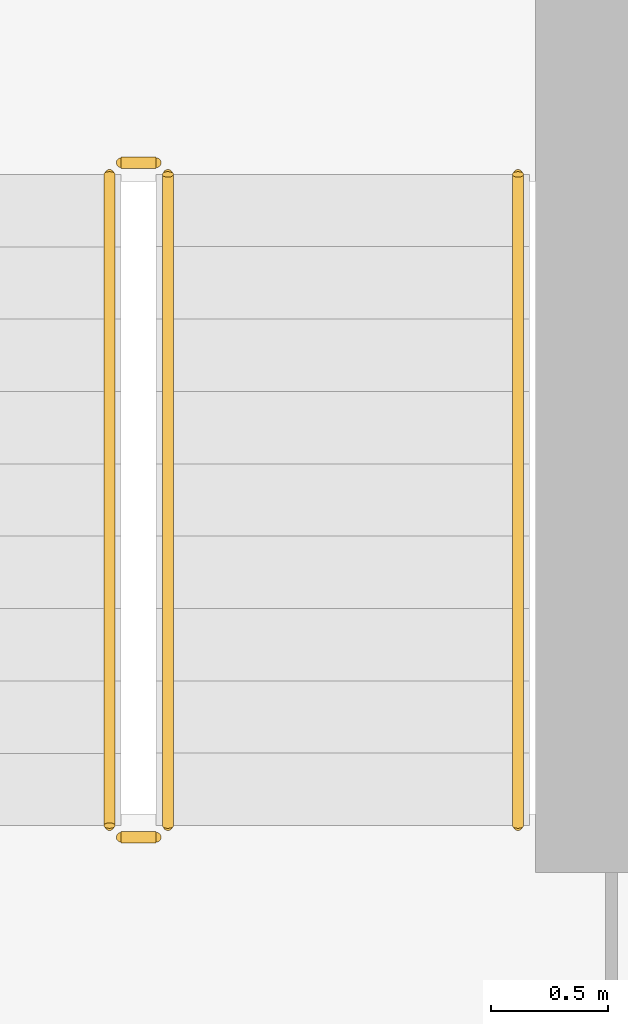
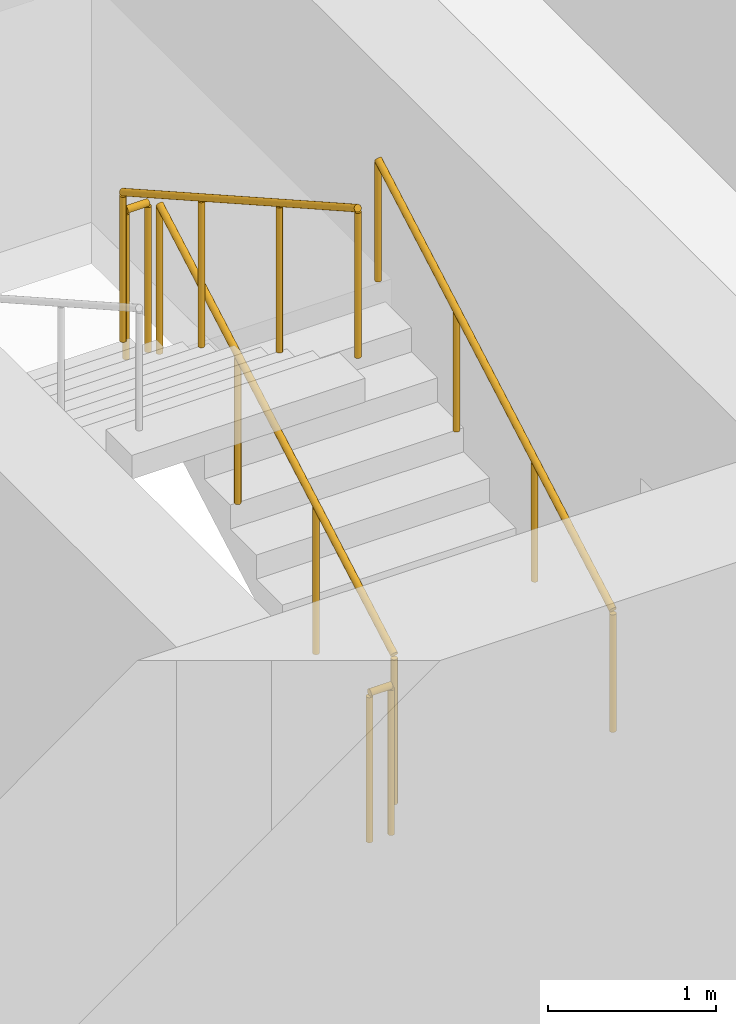
# One storey, part 20 of 22: 5 railings.
"""IFC4 building model written with IfcOpenShell, lengths in metres."""

import ifcopenshell
import ifcopenshell.guid

model = None  # the IFC model being written
_history = None  # IfcOwnerHistory: only IFC2X3 demands one
_inside = {}  # id of a spatial element -> (the spatial element, [elements in it])
_under = {}  # id of a project, library or spatial element -> (it, [spatial elements below it])
_declared = {}  # id of a project -> (the project, [libraries it declares])
_typed = {}  # id of a type object -> (the type object, [elements of that type])
_made_of = {}  # id of a material, layer set ... -> (it, [elements and type objects made of it])


def new_model(schema):
    """Start an empty IFC model of exactly this schema.

    Asked for "IFC4X3", IfcOpenShell would pick the latest addendum, in which some entities
    have other attributes; the version numbers below select the first issue.
    IFC2X3 requires an IfcOwnerHistory on every rooted entity: one is made here for all.
    """
    global model, _history
    if schema == "IFC4X3":
        model = ifcopenshell.file(schema_version=(4, 3, 0, 0))
    else:
        model = ifcopenshell.file(schema=schema)
    _inside.clear()
    _under.clear()
    _declared.clear()
    _typed.clear()
    _made_of.clear()
    _history = None
    if model.schema == "IFC2X3":
        org = make("IfcOrganization", Name="unknown")
        user = make(
            "IfcPersonAndOrganization",
            ThePerson=make("IfcPerson", FamilyName="unknown"),
            TheOrganization=org,
        )
        app = make(
            "IfcApplication",
            ApplicationDeveloper=org,
            Version="unknown",
            ApplicationFullName="unknown",
            ApplicationIdentifier="unknown",
        )
        _history = make(
            "IfcOwnerHistory",
            OwningUser=user,
            OwningApplication=app,
            ChangeAction="ADDED",
            CreationDate=0,
        )
    return model


def make(cls, **values):
    """One entity of the class cls with the attributes given. An attribute that is None is left unset."""
    return model.create_entity(
        cls, **{name: value for name, value in values.items() if value is not None}
    )


def rooted(cls, **values):
    """An entity with a GlobalId (a new one), such as an element, a storey or a relation."""
    return make(cls, GlobalId=ifcopenshell.guid.new(), OwnerHistory=_history, **values)


def si_unit(unit_type, name, prefix=None):
    """IfcSIUnit, for example si_unit("LENGTHUNIT", "METRE", prefix="MILLI")."""
    return make("IfcSIUnit", UnitType=unit_type, Prefix=prefix, Name=name)


def assignment(units):
    """IfcUnitAssignment: the units of a project."""
    return None if units is None else make("IfcUnitAssignment", Units=units)


def point(xyz):
    """IfcCartesianPoint."""
    return None if xyz is None else make("IfcCartesianPoint", Coordinates=xyz)


def direction(xyz):
    """IfcDirection."""
    return None if xyz is None else make("IfcDirection", DirectionRatios=xyz)


def frame(location, z_axis=None, x_axis=None):
    """IfcAxis2Placement3D, a coordinate frame: its origin and axes. An axis left out is left unset."""
    return make(
        "IfcAxis2Placement3D",
        Location=point(location),
        Axis=direction(z_axis),
        RefDirection=direction(x_axis),
    )


def frame_2d(location, x_axis=None):
    """IfcAxis2Placement2D, a coordinate frame in the plane: its origin and x axis."""
    return make(
        "IfcAxis2Placement2D", Location=point(location), RefDirection=direction(x_axis)
    )


def origin():
    """The frame at (0, 0, 0) with its axes left unset."""
    return frame((0.0, 0.0, 0.0))


def origin_2d():
    """The frame at (0, 0) in the plane with its x axis left unset."""
    return frame_2d((0.0, 0.0))


def place(relative_to, where):
    """IfcLocalPlacement: puts the frame where relative to a parent placement (None: the world)."""
    return make(
        "IfcLocalPlacement", PlacementRelTo=relative_to, RelativePlacement=where
    )


def context(
    kind, dimensions, precision=None, world=None, true_north=None, identifier=None
):
    """IfcGeometricRepresentationContext, for example the 3D "Model" context."""
    return make(
        "IfcGeometricRepresentationContext",
        ContextIdentifier=identifier,
        ContextType=kind,
        CoordinateSpaceDimension=dimensions,
        Precision=precision,
        WorldCoordinateSystem=world,
        TrueNorth=true_north,
    )


def subcontext(parent, identifier, kind, view, scale=None):
    """IfcGeometricRepresentationSubContext, for example "Body" below "Model"."""
    return make(
        "IfcGeometricRepresentationSubContext",
        ContextIdentifier=identifier,
        ContextType=kind,
        ParentContext=parent,
        TargetScale=scale,
        TargetView=view,
    )


def project(units=None, contexts=None):
    """IfcProject with its units and contexts."""
    return rooted(
        "IfcProject",
        Name="project",
        RepresentationContexts=contexts,
        UnitsInContext=assignment(units),
    )


def spatial(cls, under=None, at=None, **own):
    """A site, building, storey or space (cls), placed at a placement, below another one or the project."""
    s = rooted(cls, ObjectPlacement=at, **own)
    if under is not None:
        _under.setdefault(under.id(), (under, []))[1].append(s)
    return s


def profile(cls, at=None, kind="AREA", **sizes):
    """A parametric profile (cls). Its sizes go by their IFC names, for example OverallWidth=200.0."""
    return make(cls, ProfileType=kind, Position=at, **sizes)


def circle(**sizes):
    """IfcCircleProfileDef."""
    return profile("IfcCircleProfileDef", **sizes)


def extrude(swept, where, along, depth):
    """IfcExtrudedAreaSolid: the profile swept, set in the frame where, extruded along a direction by depth."""
    return make(
        "IfcExtrudedAreaSolid",
        SweptArea=swept,
        Position=where,
        ExtrudedDirection=direction(along),
        Depth=depth,
    )


def shape(context_of_items, identifier, shape_type, items):
    """IfcShapeRepresentation: the items that make up one representation, for example the "Body"."""
    return make(
        "IfcShapeRepresentation",
        ContextOfItems=context_of_items,
        RepresentationIdentifier=identifier,
        RepresentationType=shape_type,
        Items=items,
    )


def material(Name=None, Category=None):
    """IfcMaterial."""
    return make("IfcMaterial", Name=Name, Category=Category)


def made_of(thing, what):
    """Note that an element or type object is made of a material, layer set ...; save() writes the relation."""
    if what is not None:
        _made_of.setdefault(what.id(), (what, []))[1].append(thing)
    return thing


def type_object(cls, material=None, **own):
    """A type object (cls), such as IfcWallType, which elements share."""
    return made_of(rooted(cls, **own), material)


def element(
    cls,
    number,
    at=None,
    inside=None,
    cuts=None,
    type_object=None,
    material=None,
    context=None,
    identifier="Body",
    shape_type=None,
    held_by="IfcProductDefinitionShape",
    body=None,
    shapes=None,
    **own,
):
    """One element of the class cls, such as IfcWall. Its Tag is "e" and its number.

    at: its placement. inside: the storey or other place that contains it. cuts: it is an
    opening in that element (IfcRelVoidsElement). A single representation is given by context,
    identifier, shape_type and body (its items); several are given by shapes. held_by: the class
    of the entity that holds the representations. save() writes the other relations.
    """
    e = rooted(cls, Tag="e%d" % number, ObjectPlacement=at, **own)
    if body is not None:
        shapes = [shape(context, identifier, shape_type, body)]
    if shapes is not None:
        e.Representation = make(held_by, Representations=shapes)
    if inside is not None:
        _inside.setdefault(inside.id(), (inside, []))[1].append(e)
    if cuts is not None:
        rooted(
            "IfcRelVoidsElement", RelatingBuildingElement=cuts, RelatedOpeningElement=e
        )
    if type_object is not None:
        _typed.setdefault(type_object.id(), (type_object, []))[1].append(e)
    return made_of(e, material)


def aggregate(whole, parts):
    """IfcRelAggregates: a whole, such as a stair, and the parts it consists of."""
    return rooted("IfcRelAggregates", RelatingObject=whole, RelatedObjects=parts)


def save(model, path):
    """Write the relations noted so far, then the file.

    IfcRelAggregates (storeys below a building ...), IfcRelContainedInSpatialStructure (elements
    in a storey), IfcRelDefinesByType, IfcRelAssociatesMaterial and IfcRelDeclares: one each for
    every whole, place, type object, material and project.
    """
    for whole, parts in _under.values():
        aggregate(whole, parts)
    for where, things in _inside.values():
        rooted(
            "IfcRelContainedInSpatialStructure",
            RelatedElements=things,
            RelatingStructure=where,
        )
    for kind, things in _typed.values():
        rooted("IfcRelDefinesByType", RelatedObjects=things, RelatingType=kind)
    for what, things in _made_of.values():
        rooted("IfcRelAssociatesMaterial", RelatedObjects=things, RelatingMaterial=what)
    for by, libraries in _declared.values():
        rooted("IfcRelDeclares", RelatingContext=by, RelatedDefinitions=libraries)
    model.write(path)


model = new_model("IFC4")

# Units and contexts
model_context = context("Model", 3, precision=1e-05, world=origin(), true_north=direction((0.0, 1.0)))
body_context = subcontext(model_context, "Body", "Model", "MODEL_VIEW")
ifc_project = project(units=[si_unit("LENGTHUNIT", "METRE"), si_unit("AREAUNIT", "SQUARE_METRE"), si_unit("VOLUMEUNIT", "CUBIC_METRE"), si_unit("PLANEANGLEUNIT", "RADIAN"), si_unit("MASSUNIT", "GRAM", prefix="KILO")], contexts=[model_context])

# Site, building, storey
site_placement = place(None, origin())
site = spatial("IfcSite", under=ifc_project, at=site_placement, CompositionType="ELEMENT")
building_placement = place(site_placement, origin())
building = spatial("IfcBuilding", under=site, at=building_placement, Name="Madar Terraces", CompositionType="ELEMENT")
storey_placement = place(building_placement, frame((0.0, 0.0, 62.800048828125)))
storey = spatial("IfcBuildingStorey", under=building, at=storey_placement, Name="L15", CompositionType="ELEMENT", Elevation=62.800048828125)

# Railings
ifc_material_1 = material(Name="Stainless steel railing", Category="steel")
railing_type_1 = type_object("IfcRailingType", Name="Stair guard 1100", PredefinedType="GUARDRAIL", material=ifc_material_1)
railing_1_placement = place(storey_placement, frame((41.449951171875, 17.60009765625, 0.175048828125)))
element("IfcRailing", 1, at=railing_1_placement, inside=storey, type_object=railing_type_1, Name="L15 ST3 stair guard 1", PredefinedType="GUARDRAIL", context=body_context, shape_type="SweptSolid", body=[
    extrude(circle(Radius=0.02392578125, at=origin_2d()), frame((0.0, 0.0, 1.076171875), z_axis=(0.0, 0.870815363784, 0.491610213684), x_axis=(-1.0, 0.0, 0.0)), (0.0, 0.0, 1.0), 3.20361328125),
    extrude(circle(Radius=0.02099609375, at=origin_2d()), origin(), (0.0, 0.0, 1.0), 1.052001953125),
    extrude(circle(Radius=0.02099609375, at=origin_2d()), frame((0.0, 0.929931640625, 0.52490234375)), (0.0, 0.0, 1.0), 1.052001953125),
    extrude(circle(Radius=0.02099609375, at=origin_2d()), frame((0.0, 1.85986328125, 1.050048828125)), (0.0, 0.0, 1.0), 1.052001953125),
    extrude(circle(Radius=0.02099609375, at=origin_2d()), frame((0.0, 2.789794921875, 1.574951171875)), (0.0, 0.0, 1.0), 1.052001953125),
])
railing_2_placement = place(storey_placement, frame((41.39990234375, 20.43994140625, 1.75)))
element("IfcRailing", 2, at=railing_2_placement, inside=storey, type_object=railing_type_1, Name="L15 ST3 stair guard 2", PredefinedType="GUARDRAIL", context=body_context, shape_type="SweptSolid", body=[
    extrude(circle(Radius=0.02392578125, at=origin_2d()), frame((0.0, 0.0, 1.076171875), z_axis=(-1.0, 0.0, 0.0), x_axis=(0.0, -1.0, 0.0)), (0.0, 0.0, 1.0), 0.14990234375),
    extrude(circle(Radius=0.02099609375, at=origin_2d()), origin(), (0.0, 0.0, 1.0), 1.052001953125),
    extrude(circle(Radius=0.02099609375, at=origin_2d()), frame((-0.14990234375, 0.0, 0.0)), (0.0, 0.0, 1.0), 1.052001953125),
])
railing_3_placement = place(storey_placement, frame((41.199951171875, 20.389892578125, 1.925048828125)))
element("IfcRailing", 3, at=railing_3_placement, inside=storey, type_object=railing_type_1, Name="L15 ST3 stair guard 3", PredefinedType="GUARDRAIL", context=body_context, shape_type="SweptSolid", body=[
    extrude(circle(Radius=0.02392578125, at=origin_2d()), frame((0.0, 0.0, 1.076171875), z_axis=(0.0, -0.870815363784, 0.491610213684), x_axis=(1.0, 0.0, 0.0)), (0.0, 0.0, 1.0), 3.20361328125),
    extrude(circle(Radius=0.02099609375, at=origin_2d()), origin(), (0.0, 0.0, 1.0), 1.052001953125),
    extrude(circle(Radius=0.02099609375, at=origin_2d()), frame((0.0, -0.929931640625, 0.52490234375)), (0.0, 0.0, 1.0), 1.052001953125),
    extrude(circle(Radius=0.02099609375, at=origin_2d()), frame((0.0, -1.85986328125, 1.050048828125)), (0.0, 0.0, 1.0), 1.052001953125),
    extrude(circle(Radius=0.02099609375, at=origin_2d()), frame((0.0, -2.789794921875, 1.574951171875)), (0.0, 0.0, 1.0), 1.052001953125),
])
railing_4_placement = place(storey_placement, frame((41.39990234375, 17.550048828125, 0.0)))
element("IfcRailing", 4, at=railing_4_placement, inside=storey, type_object=railing_type_1, Name="L15 ST3 stair guard 4", PredefinedType="GUARDRAIL", context=body_context, shape_type="SweptSolid", body=[
    extrude(circle(Radius=0.02392578125, at=origin_2d()), frame((0.0, 0.0, 1.076171875), z_axis=(-1.0, 0.0, 0.0), x_axis=(0.0, -1.0, 0.0)), (0.0, 0.0, 1.0), 0.14990234375),
    extrude(circle(Radius=0.02099609375, at=origin_2d()), origin(), (0.0, 0.0, 1.0), 1.052001953125),
    extrude(circle(Radius=0.02099609375, at=origin_2d()), frame((-0.14990234375, 0.0, 0.0)), (0.0, 0.0, 1.0), 1.052001953125),
])
ifc_material_2 = material(Name="Stainless steel railing", Category="steel")
railing_type_2 = type_object("IfcRailingType", Name="Stair handrail 900", PredefinedType="HANDRAIL", material=ifc_material_2)
railing_5_placement = place(storey_placement, frame((42.949951171875, 17.60009765625, 0.175048828125)))
element("IfcRailing", 5, at=railing_5_placement, inside=storey, type_object=railing_type_2, Name="L15 ST3 stair handrail 1", PredefinedType="HANDRAIL", context=body_context, shape_type="SweptSolid", body=[
    extrude(circle(Radius=0.02392578125, at=origin_2d()), frame((0.0, 0.0, 0.8759765625), z_axis=(0.0, 0.870815363784, 0.491610213684), x_axis=(-1.0, 0.0, 0.0)), (0.0, 0.0, 1.0), 3.20361328125),
    extrude(circle(Radius=0.02099609375, at=origin_2d()), origin(), (0.0, 0.0, 1.0), 0.851806640625),
    extrude(circle(Radius=0.02099609375, at=origin_2d()), frame((0.0, 0.929931640625, 0.52490234375)), (0.0, 0.0, 1.0), 0.851806640625),
    extrude(circle(Radius=0.02099609375, at=origin_2d()), frame((0.0, 1.85986328125, 1.050048828125)), (0.0, 0.0, 1.0), 0.851806640625),
    extrude(circle(Radius=0.02099609375, at=origin_2d()), frame((0.0, 2.789794921875, 1.574951171875)), (0.0, 0.0, 1.0), 0.851806640625),
])

save(model, "model.ifc")
